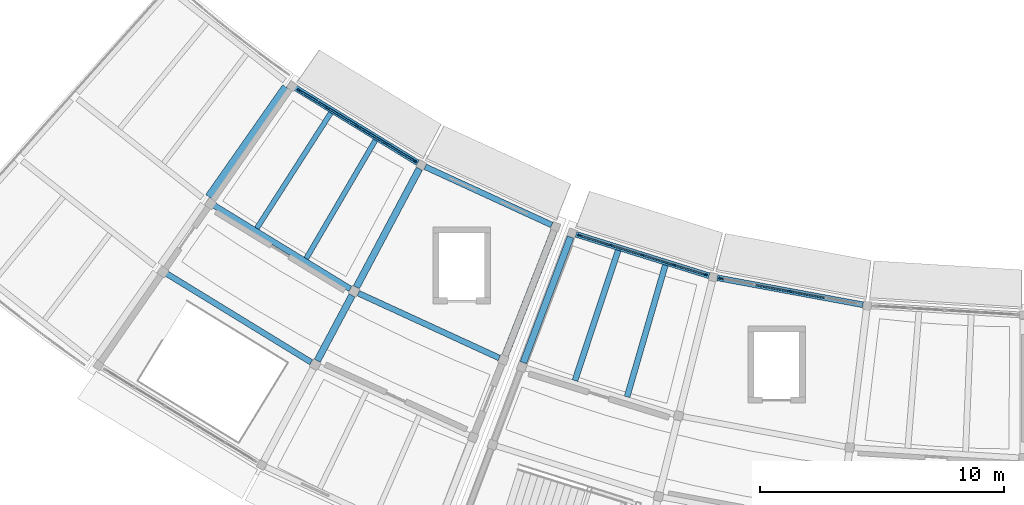
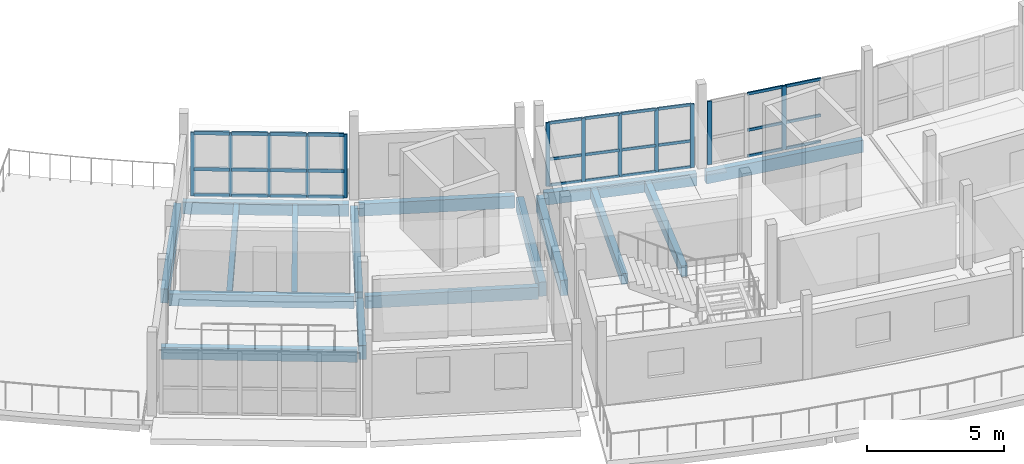
# One storey, part 9 of 24: 42 members, 16 beams, 3 elements without a shape of their own.
"""IFC4 building model written with IfcOpenShell, lengths in metres."""

from ifc_helpers import new_model, si_unit, direction, frame, origin, origin_2d, place, context, subcontext, project, spatial, rectangle, extrude, material, layer, layer_set, material_profile, profile_set, type_object, element, aggregate, save


model = new_model("IFC4")

# Units and contexts
model_context = context("Model", 3, precision=1e-05, world=origin(), true_north=direction((0.0, 1.0)))
body_context = subcontext(model_context, "Body", "Model", "MODEL_VIEW")
ifc_project = project(units=[si_unit("LENGTHUNIT", "METRE"), si_unit("AREAUNIT", "SQUARE_METRE"), si_unit("VOLUMEUNIT", "CUBIC_METRE"), si_unit("PLANEANGLEUNIT", "RADIAN"), si_unit("MASSUNIT", "GRAM", prefix="KILO")], contexts=[model_context])

# Site, building, storey
site_placement = place(None, origin())
site = spatial("IfcSite", under=ifc_project, at=site_placement, CompositionType="ELEMENT")
building_placement = place(site_placement, origin())
building = spatial("IfcBuilding", under=site, at=building_placement, Name="Caldaven Crescent School", CompositionType="ELEMENT")
storey_placement = place(building_placement, frame((0.0, 0.0, 15.639892578125)))
storey = spatial("IfcBuildingStorey", under=building, at=storey_placement, Name="L04", CompositionType="ELEMENT", Elevation=15.639892578125)

# Beams
ifc_material_1 = material(Name="Glulam MLE24h (GL28h)", Category="wood")
ifc_material_profile_1 = material_profile(ifc_material_1, rectangle(XDim=0.239990234375, YDim=0.5400390625, at=origin_2d()), Name="MLE 240x540")
ifc_profile_set_1 = profile_set([ifc_material_profile_1], Name="Glulam MLE24h (GL28h)")
beam_type_1 = type_object("IfcBeamType", Name="BM-GL54", PredefinedType="BEAM", material=ifc_profile_set_1)
beam_1_placement = place(storey_placement, frame((54.722412109375, 48.14404296875, -0.5), z_axis=(0.852656966521, -0.522471145083, 0.0), x_axis=(0.522471145083, 0.852656966521, 0.0)))
element("IfcBeam", 1, at=beam_1_placement, inside=storey, type_object=beam_type_1, Name="BMT-V4W-L04-1540", PredefinedType="BEAM", context=body_context, shape_type="SweptSolid", body=[
    extrude(rectangle(XDim=0.239990234375, YDim=0.5400390625, at=origin_2d()), origin(), (0.0, 0.0, 1.0), 6.73828125),
])
beam_2_placement = place(storey_placement, frame((52.772216796875, 45.359130859375, -0.5), z_axis=(0.85263411432, -0.522508437347, 0.0), x_axis=(0.522508437347, 0.85263411432, 0.0)))
element("IfcBeam", 2, at=beam_2_placement, inside=storey, type_object=beam_type_1, Name="BMT-V4W-L04-1541", PredefinedType="BEAM", context=body_context, shape_type="SweptSolid", body=[
    extrude(rectangle(XDim=0.239990234375, YDim=0.5400390625, at=origin_2d()), origin(), (0.0, 0.0, 1.0), 7.153564453125),
])
beam_3_placement = place(storey_placement, frame((60.802490234375, 44.44482421875, -0.5), z_axis=(0.908529060939, -0.417821667018, 0.0), x_axis=(0.417821667018, 0.908529060939, 0.0)))
element("IfcBeam", 3, at=beam_3_placement, inside=storey, type_object=beam_type_1, Name="BMT-V4W-L04-1546", PredefinedType="BEAM", context=body_context, shape_type="SweptSolid", body=[
    extrude(rectangle(XDim=0.239990234375, YDim=0.5400390625, at=origin_2d()), origin(), (0.0, 0.0, 1.0), 6.33740234375),
])
ifc_material_profile_2 = material_profile(ifc_material_1, rectangle(XDim=0.280029296875, YDim=0.6298828125, at=origin_2d()), Name="MLE 280x630")
ifc_profile_set_2 = profile_set([ifc_material_profile_2], Name="Glulam MLE24h (GL28h)")
beam_type_2 = type_object("IfcBeamType", Name="BM-GL63", PredefinedType="BEAM", material=ifc_profile_set_2)
beam_4_placement = place(storey_placement, frame((57.8154296875, 52.89208984375, -0.544921875), z_axis=(-0.573578845918, -0.819150357087, 0.0), x_axis=(0.819150357087, -0.573578845918, 0.0)))
element("IfcBeam", 4, at=beam_4_placement, inside=storey, type_object=beam_type_2, Name="BMR-V4W-L04-1522", PredefinedType="BEAM", context=body_context, shape_type="SweptSolid", body=[
    extrude(rectangle(XDim=0.280029296875, YDim=0.6298828125, at=origin_2d()), origin(), (0.0, 0.0, 1.0), 5.48486328125),
])
beam_5_placement = place(storey_placement, frame((63.2939453125, 49.534912109375, -0.544921875), z_axis=(-0.469453518664, -0.882957186852, 0.0), x_axis=(0.882957186852, -0.469453518664, 0.0)))
element("IfcBeam", 5, at=beam_5_placement, inside=storey, type_object=beam_type_2, Name="BMR-V4W-L04-1525", PredefinedType="BEAM", context=body_context, shape_type="SweptSolid", body=[
    extrude(rectangle(XDim=0.280029296875, YDim=0.6298828125, at=origin_2d()), origin(), (0.0, 0.0, 1.0), 5.485107421875),
])
beam_6_placement = place(storey_placement, frame((60.54052734375, 44.3564453125, -0.544921875), z_axis=(-0.469450738631, -0.882958664944, 0.0), x_axis=(0.882958664944, -0.469450738631, 0.0)))
element("IfcBeam", 6, at=beam_6_placement, inside=storey, type_object=beam_type_2, Name="BMR-V4W-L04-1526", PredefinedType="BEAM", context=body_context, shape_type="SweptSolid", body=[
    extrude(rectangle(XDim=0.280029296875, YDim=0.6298828125, at=origin_2d()), origin(), (0.0, 0.0, 1.0), 3.02001953125),
])
beam_7_placement = place(storey_placement, frame((68.802978515625, 47.00146484375, -0.544921875), z_axis=(-0.364758465134, -0.931102175979, 0.0), x_axis=(0.931102175979, -0.364758465134, 0.0)))
element("IfcBeam", 7, at=beam_7_placement, inside=storey, type_object=beam_type_2, Name="BMR-V4W-L04-1528", PredefinedType="BEAM", context=body_context, shape_type="SweptSolid", body=[
    extrude(rectangle(XDim=0.280029296875, YDim=0.6298828125, at=origin_2d()), origin(), (0.0, 0.0, 1.0), 5.485107421875),
])
ifc_material_profile_3 = material_profile(ifc_material_1, rectangle(XDim=0.280029296875, YDim=0.68994140625, at=origin_2d()), Name="MLE 280x690")
ifc_profile_set_3 = profile_set([ifc_material_profile_3], Name="Glulam MLE24h (GL28h)")
beam_type_3 = type_object("IfcBeamType", Name="BM-GL69", PredefinedType="BEAM", material=ifc_profile_set_3)
beam_8_placement = place(storey_placement, frame((69.4794921875, 46.74169921875, -0.574951171875), z_axis=(-0.35189401186, -0.936039851938, 0.0), x_axis=(0.936039851938, -0.35189401186, 0.0)))
element("IfcBeam", 8, at=beam_8_placement, inside=storey, type_object=beam_type_3, Name="BMR-V5-L04-1551", PredefinedType="BEAM", context=body_context, shape_type="SweptSolid", body=[
    extrude(rectangle(XDim=0.280029296875, YDim=0.68994140625, at=origin_2d()), origin(), (0.0, 0.0, 1.0), 5.485107421875),
])

# Curtain wall, members
ifc_material_2 = material(Name="Anodised aluminium AA 6063-T6 and low-E double glazing", Category="aluminium")
ifc_layer_1 = layer(ifc_material_2, 0.2099609375)
ifc_layer_set_1 = layer_set([ifc_layer_1], Name="Anodised aluminium AA 6063-T6 and low-E double glazing")
curtain_wall_type_1 = type_object("IfcCurtainWallType", Name="CW-SYS3", PredefinedType="NOTDEFINED", material=ifc_layer_set_1)
curtain_wall_1_placement = place(storey_placement, origin())
curtain_wall_1 = element("IfcCurtainWall", 9, at=curtain_wall_1_placement, inside=storey, type_object=curtain_wall_type_1, Name="CW-L04-169", PredefinedType="NOTDEFINED")
ifc_material_3 = material(Name="Anodised aluminium AA 6063-T6", Category="aluminium")
ifc_material_profile_4 = material_profile(ifc_material_3, rectangle(XDim=0.06005859375, YDim=0.14990234375, at=origin_2d()), Name="CWM 60x150")
ifc_profile_set_4 = profile_set([ifc_material_profile_4], Name="Anodised aluminium AA 6063-T6")
member_type_1 = type_object("IfcMemberType", Name="CWM-T1", PredefinedType="MULLION", material=ifc_profile_set_4)
member_1_placement = place(storey_placement, frame((69.856201171875, 46.807373046875, 0.0), z_axis=(0.0, 0.0, 1.0), x_axis=(0.297419758694, 0.954746818344, 0.0)))
member_1 = element("IfcMember", 10, at=member_1_placement, type_object=member_type_1, Name="CW3 mullion 1", PredefinedType="MULLION", context=body_context, shape_type="SweptSolid", body=[
    extrude(rectangle(XDim=0.06005859375, YDim=0.14990234375, at=origin_2d()), origin(), (0.0, 0.0, 1.0), 2.820068359375),
])
member_2_placement = place(storey_placement, frame((71.126953125, 46.411376953125, 0.0), z_axis=(0.0, 0.0, 1.0), x_axis=(0.297419758694, 0.954746818344, 0.0)))
member_2 = element("IfcMember", 11, at=member_2_placement, type_object=member_type_1, Name="CW3 mullion 2", PredefinedType="MULLION", context=body_context, shape_type="SweptSolid", body=[
    extrude(rectangle(XDim=0.06005859375, YDim=0.14990234375, at=origin_2d()), origin(), (0.0, 0.0, 1.0), 2.820068359375),
])
member_3_placement = place(storey_placement, frame((72.42626953125, 46.0068359375, 0.0), z_axis=(0.0, 0.0, 1.0), x_axis=(0.297419758694, 0.954746818344, 0.0)))
member_3 = element("IfcMember", 12, at=member_3_placement, type_object=member_type_1, Name="CW3 mullion 3", PredefinedType="MULLION", context=body_context, shape_type="SweptSolid", body=[
    extrude(rectangle(XDim=0.06005859375, YDim=0.14990234375, at=origin_2d()), origin(), (0.0, 0.0, 1.0), 2.820068359375),
])
member_4_placement = place(storey_placement, frame((73.7255859375, 45.60205078125, 0.0), z_axis=(0.0, 0.0, 1.0), x_axis=(0.297419758694, 0.954746818344, 0.0)))
member_4 = element("IfcMember", 13, at=member_4_placement, type_object=member_type_1, Name="CW3 mullion 4", PredefinedType="MULLION", context=body_context, shape_type="SweptSolid", body=[
    extrude(rectangle(XDim=0.06005859375, YDim=0.14990234375, at=origin_2d()), origin(), (0.0, 0.0, 1.0), 2.820068359375),
])
member_5_placement = place(storey_placement, frame((74.99609375, 45.2060546875, 0.0), z_axis=(0.0, 0.0, 1.0), x_axis=(0.297419758694, 0.954746818344, 0.0)))
member_5 = element("IfcMember", 14, at=member_5_placement, type_object=member_type_1, Name="CW3 mullion 5", PredefinedType="MULLION", context=body_context, shape_type="SweptSolid", body=[
    extrude(rectangle(XDim=0.06005859375, YDim=0.14990234375, at=origin_2d()), origin(), (0.0, 0.0, 1.0), 2.820068359375),
])

ifc_layer_2 = layer(ifc_material_2, 0.169921875)
ifc_layer_set_2 = layer_set([ifc_layer_2], Name="Anodised aluminium AA 6063-T6 and low-E double glazing")
curtain_wall_type_2 = type_object("IfcCurtainWallType", Name="CW-SYS1", PredefinedType="NOTDEFINED", material=ifc_layer_set_2)
curtain_wall_2_placement = place(storey_placement, origin())
curtain_wall_2 = element("IfcCurtainWall", 15, at=curtain_wall_2_placement, inside=storey, type_object=curtain_wall_type_2, Name="CW-L04-167", PredefinedType="NOTDEFINED")
ifc_material_profile_5 = material_profile(ifc_material_3, rectangle(XDim=0.06494140625, YDim=0.179931640625, at=origin_2d()), Name="CWM 65x180")
ifc_profile_set_5 = profile_set([ifc_material_profile_5], Name="Anodised aluminium AA 6063-T6")
member_type_2 = type_object("IfcMemberType", Name="CWM-T2", PredefinedType="MULLION", material=ifc_profile_set_5)
member_6_placement = place(storey_placement, frame((58.376220703125, 52.739501953125, 0.0), z_axis=(0.0, 0.0, 1.0), x_axis=(0.520750687451, 0.853708803703, 0.0)))
member_6 = element("IfcMember", 16, at=member_6_placement, type_object=member_type_2, Name="CW1 mullion 1", PredefinedType="MULLION", context=body_context, shape_type="SweptSolid", body=[
    extrude(rectangle(XDim=0.06494140625, YDim=0.179931640625, at=origin_2d()), origin(), (0.0, 0.0, 1.0), 2.820068359375),
])
member_7_placement = place(storey_placement, frame((59.541259765625, 52.028564453125, 0.0), z_axis=(0.0, 0.0, 1.0), x_axis=(0.520750687451, 0.853708803703, 0.0)))
member_7 = element("IfcMember", 17, at=member_7_placement, type_object=member_type_2, Name="CW1 mullion 2", PredefinedType="MULLION", context=body_context, shape_type="SweptSolid", body=[
    extrude(rectangle(XDim=0.06494140625, YDim=0.179931640625, at=origin_2d()), origin(), (0.0, 0.0, 1.0), 2.820068359375),
])
member_8_placement = place(storey_placement, frame((60.734130859375, 51.301025390625, 0.0), z_axis=(0.0, 0.0, 1.0), x_axis=(0.520750687451, 0.853708803703, 0.0)))
member_8 = element("IfcMember", 18, at=member_8_placement, type_object=member_type_2, Name="CW1 mullion 3", PredefinedType="MULLION", context=body_context, shape_type="SweptSolid", body=[
    extrude(rectangle(XDim=0.06494140625, YDim=0.179931640625, at=origin_2d()), origin(), (0.0, 0.0, 1.0), 2.820068359375),
])
member_9_placement = place(storey_placement, frame((61.92724609375, 50.5732421875, 0.0), z_axis=(0.0, 0.0, 1.0), x_axis=(0.520750687451, 0.853708803703, 0.0)))
member_9 = element("IfcMember", 19, at=member_9_placement, type_object=member_type_2, Name="CW1 mullion 4", PredefinedType="MULLION", context=body_context, shape_type="SweptSolid", body=[
    extrude(rectangle(XDim=0.06494140625, YDim=0.179931640625, at=origin_2d()), origin(), (0.0, 0.0, 1.0), 2.820068359375),
])
member_10_placement = place(storey_placement, frame((63.09228515625, 49.862548828125, 0.0), z_axis=(0.0, 0.0, 1.0), x_axis=(0.520750687451, 0.853708803703, 0.0)))
member_10 = element("IfcMember", 20, at=member_10_placement, type_object=member_type_2, Name="CW1 mullion 5", PredefinedType="MULLION", context=body_context, shape_type="SweptSolid", body=[
    extrude(rectangle(XDim=0.06494140625, YDim=0.179931640625, at=origin_2d()), origin(), (0.0, 0.0, 1.0), 2.820068359375),
])

ifc_layer_3 = layer(ifc_material_2, 0.22998046875)
ifc_layer_set_3 = layer_set([ifc_layer_3], Name="Anodised aluminium AA 6063-T6 and low-E double glazing")
curtain_wall_type_3 = type_object("IfcCurtainWallType", Name="CW-SYS4", PredefinedType="NOTDEFINED", material=ifc_layer_set_3)
curtain_wall_3_placement = place(storey_placement, origin())
curtain_wall_3 = element("IfcCurtainWall", 21, at=curtain_wall_3_placement, inside=storey, type_object=curtain_wall_type_3, Name="CW-L04-170", PredefinedType="NOTDEFINED")
member_11_placement = place(storey_placement, frame((75.63818359375, 45.04736328125, 0.0), z_axis=(0.0, 0.0, 1.0), x_axis=(0.182236405836, 0.983254744401, 0.0)))
member_11 = element("IfcMember", 22, at=member_11_placement, type_object=member_type_2, Name="CW4 mullion 1", PredefinedType="MULLION", context=body_context, shape_type="SweptSolid", body=[
    extrude(rectangle(XDim=0.06494140625, YDim=0.179931640625, at=origin_2d()), origin(), (0.0, 0.0, 1.0), 2.820068359375),
])
member_12_placement = place(storey_placement, frame((78.45947265625, 44.5244140625, 0.0), z_axis=(0.0, 0.0, 1.0), x_axis=(0.182236405836, 0.983254744401, 0.0)))
member_12 = element("IfcMember", 23, at=member_12_placement, type_object=member_type_2, Name="CW4 mullion 3", PredefinedType="MULLION", context=body_context, shape_type="SweptSolid", body=[
    extrude(rectangle(XDim=0.06494140625, YDim=0.179931640625, at=origin_2d()), origin(), (0.0, 0.0, 1.0), 2.820068359375),
])

# Member
ifc_material_profile_6 = material_profile(ifc_material_3, rectangle(XDim=0.06005859375, YDim=0.1201171875, at=origin_2d()), Name="CWT 60x120")
ifc_profile_set_6 = profile_set([ifc_material_profile_6], Name="Anodised aluminium AA 6063-T6")
member_type_3 = type_object("IfcMemberType", Name="CWT-T1", PredefinedType="USERDEFINED", material=ifc_profile_set_6)
member_13_placement = place(storey_placement, frame((69.885009765625, 46.79833984375, 0.030029296875), z_axis=(0.954742858381, -0.29743247027, 0.0), x_axis=(0.29743247027, 0.954742858381, 0.0)))
member_13 = element("IfcMember", 24, at=member_13_placement, type_object=member_type_3, Name="CW3 transom 1.1", ObjectType="TRANSOM", PredefinedType="USERDEFINED", context=body_context, shape_type="SweptSolid", body=[
    extrude(rectangle(XDim=0.06005859375, YDim=0.1201171875, at=origin_2d()), origin(), (0.0, 0.0, 1.0), 1.270751953125),
])

member_14_placement = place(storey_placement, frame((69.885009765625, 46.79833984375, 1.18408203125), z_axis=(0.954742858381, -0.29743247027, 0.0), x_axis=(0.29743247027, 0.954742858381, 0.0)))
member_14 = element("IfcMember", 25, at=member_14_placement, type_object=member_type_3, Name="CW3 transom 1.2", ObjectType="TRANSOM", PredefinedType="USERDEFINED", context=body_context, shape_type="SweptSolid", body=[
    extrude(rectangle(XDim=0.06005859375, YDim=0.1201171875, at=origin_2d()), origin(), (0.0, 0.0, 1.0), 1.270751953125),
])

member_15_placement = place(storey_placement, frame((69.885009765625, 46.79833984375, 2.7900390625), z_axis=(0.954742858381, -0.29743247027, 0.0), x_axis=(0.29743247027, 0.954742858381, 0.0)))
member_15 = element("IfcMember", 26, at=member_15_placement, type_object=member_type_3, Name="CW3 transom 1.3", ObjectType="TRANSOM", PredefinedType="USERDEFINED", context=body_context, shape_type="SweptSolid", body=[
    extrude(rectangle(XDim=0.06005859375, YDim=0.1201171875, at=origin_2d()), origin(), (0.0, 0.0, 1.0), 1.270751953125),
])

member_16_placement = place(storey_placement, frame((71.155517578125, 46.402587890625, 0.030029296875), z_axis=(0.954730104674, -0.297473405919, 0.0), x_axis=(0.297473405919, 0.954730104674, 0.0)))
member_16 = element("IfcMember", 27, at=member_16_placement, type_object=member_type_3, Name="CW3 transom 2.1", ObjectType="TRANSOM", PredefinedType="USERDEFINED", context=body_context, shape_type="SweptSolid", body=[
    extrude(rectangle(XDim=0.06005859375, YDim=0.1201171875, at=origin_2d()), origin(), (0.0, 0.0, 1.0), 1.30078125),
])

member_17_placement = place(storey_placement, frame((71.155517578125, 46.402587890625, 1.18408203125), z_axis=(0.954730104674, -0.297473405919, 0.0), x_axis=(0.297473405919, 0.954730104674, 0.0)))
member_17 = element("IfcMember", 28, at=member_17_placement, type_object=member_type_3, Name="CW3 transom 2.2", ObjectType="TRANSOM", PredefinedType="USERDEFINED", context=body_context, shape_type="SweptSolid", body=[
    extrude(rectangle(XDim=0.06005859375, YDim=0.1201171875, at=origin_2d()), origin(), (0.0, 0.0, 1.0), 1.30078125),
])

member_18_placement = place(storey_placement, frame((71.155517578125, 46.402587890625, 2.7900390625), z_axis=(0.954730104674, -0.297473405919, 0.0), x_axis=(0.297473405919, 0.954730104674, 0.0)))
member_18 = element("IfcMember", 29, at=member_18_placement, type_object=member_type_3, Name="CW3 transom 2.3", ObjectType="TRANSOM", PredefinedType="USERDEFINED", context=body_context, shape_type="SweptSolid", body=[
    extrude(rectangle(XDim=0.06005859375, YDim=0.1201171875, at=origin_2d()), origin(), (0.0, 0.0, 1.0), 1.30078125),
])

member_19_placement = place(storey_placement, frame((72.454833984375, 45.997802734375, 0.030029296875), z_axis=(0.954730104674, -0.297473405919, 0.0), x_axis=(0.297473405919, 0.954730104674, 0.0)))
member_19 = element("IfcMember", 30, at=member_19_placement, type_object=member_type_3, Name="CW3 transom 3.1", ObjectType="TRANSOM", PredefinedType="USERDEFINED", context=body_context, shape_type="SweptSolid", body=[
    extrude(rectangle(XDim=0.06005859375, YDim=0.1201171875, at=origin_2d()), origin(), (0.0, 0.0, 1.0), 1.30078125),
])

member_20_placement = place(storey_placement, frame((72.454833984375, 45.997802734375, 1.18408203125), z_axis=(0.954730104674, -0.297473405919, 0.0), x_axis=(0.297473405919, 0.954730104674, 0.0)))
member_20 = element("IfcMember", 31, at=member_20_placement, type_object=member_type_3, Name="CW3 transom 3.2", ObjectType="TRANSOM", PredefinedType="USERDEFINED", context=body_context, shape_type="SweptSolid", body=[
    extrude(rectangle(XDim=0.06005859375, YDim=0.1201171875, at=origin_2d()), origin(), (0.0, 0.0, 1.0), 1.30078125),
])

member_21_placement = place(storey_placement, frame((72.454833984375, 45.997802734375, 2.7900390625), z_axis=(0.954730104674, -0.297473405919, 0.0), x_axis=(0.297473405919, 0.954730104674, 0.0)))
member_21 = element("IfcMember", 32, at=member_21_placement, type_object=member_type_3, Name="CW3 transom 3.3", ObjectType="TRANSOM", PredefinedType="USERDEFINED", context=body_context, shape_type="SweptSolid", body=[
    extrude(rectangle(XDim=0.06005859375, YDim=0.1201171875, at=origin_2d()), origin(), (0.0, 0.0, 1.0), 1.30078125),
])

member_22_placement = place(storey_placement, frame((73.754150390625, 45.593017578125, 0.030029296875), z_axis=(0.954759851562, -0.297377917549, 0.0), x_axis=(0.297377917549, 0.954759851562, 0.0)))
member_22 = element("IfcMember", 33, at=member_22_placement, type_object=member_type_3, Name="CW3 transom 4.1", ObjectType="TRANSOM", PredefinedType="USERDEFINED", context=body_context, shape_type="SweptSolid", body=[
    extrude(rectangle(XDim=0.06005859375, YDim=0.1201171875, at=origin_2d()), origin(), (0.0, 0.0, 1.0), 1.270751953125),
])

member_23_placement = place(storey_placement, frame((73.754150390625, 45.593017578125, 1.18408203125), z_axis=(0.954759851562, -0.297377917549, 0.0), x_axis=(0.297377917549, 0.954759851562, 0.0)))
member_23 = element("IfcMember", 34, at=member_23_placement, type_object=member_type_3, Name="CW3 transom 4.2", ObjectType="TRANSOM", PredefinedType="USERDEFINED", context=body_context, shape_type="SweptSolid", body=[
    extrude(rectangle(XDim=0.06005859375, YDim=0.1201171875, at=origin_2d()), origin(), (0.0, 0.0, 1.0), 1.270751953125),
])

member_24_placement = place(storey_placement, frame((73.754150390625, 45.593017578125, 2.7900390625), z_axis=(0.954759851562, -0.297377917549, 0.0), x_axis=(0.297377917549, 0.954759851562, 0.0)))
member_24 = element("IfcMember", 35, at=member_24_placement, type_object=member_type_3, Name="CW3 transom 4.3", ObjectType="TRANSOM", PredefinedType="USERDEFINED", context=body_context, shape_type="SweptSolid", body=[
    extrude(rectangle(XDim=0.06005859375, YDim=0.1201171875, at=origin_2d()), origin(), (0.0, 0.0, 1.0), 1.270751953125),
])

aggregate(curtain_wall_1, [member_1, member_2, member_3, member_4, member_5, member_13, member_14, member_15, member_16, member_17, member_18, member_19, member_20, member_21, member_22, member_23, member_24])

member_25_placement = place(storey_placement, frame((77.06494140625, 44.782958984375, 0.030029296875), z_axis=(0.983241097753, -0.182310020812, 0.0), x_axis=(0.182310020812, 0.983241097753, 0.0)))
member_25 = element("IfcMember", 36, at=member_25_placement, type_object=member_type_3, Name="CW4 transom 2.1", ObjectType="TRANSOM", PredefinedType="USERDEFINED", context=body_context, shape_type="SweptSolid", body=[
    extrude(rectangle(XDim=0.06005859375, YDim=0.1201171875, at=origin_2d()), origin(), (0.0, 0.0, 1.0), 1.385986328125),
])

member_26_placement = place(storey_placement, frame((77.06494140625, 44.782958984375, 1.18408203125), z_axis=(0.983241097753, -0.182310020812, 0.0), x_axis=(0.182310020812, 0.983241097753, 0.0)))
member_26 = element("IfcMember", 37, at=member_26_placement, type_object=member_type_3, Name="CW4 transom 2.2", ObjectType="TRANSOM", PredefinedType="USERDEFINED", context=body_context, shape_type="SweptSolid", body=[
    extrude(rectangle(XDim=0.06005859375, YDim=0.1201171875, at=origin_2d()), origin(), (0.0, 0.0, 1.0), 1.385986328125),
])

member_27_placement = place(storey_placement, frame((77.06494140625, 44.782958984375, 2.7900390625), z_axis=(0.983241097753, -0.182310020812, 0.0), x_axis=(0.182310020812, 0.983241097753, 0.0)))
member_27 = element("IfcMember", 38, at=member_27_placement, type_object=member_type_3, Name="CW4 transom 2.3", ObjectType="TRANSOM", PredefinedType="USERDEFINED", context=body_context, shape_type="SweptSolid", body=[
    extrude(rectangle(XDim=0.06005859375, YDim=0.1201171875, at=origin_2d()), origin(), (0.0, 0.0, 1.0), 1.385986328125),
])

member_28_placement = place(storey_placement, frame((78.491455078125, 44.5185546875, 0.030029296875), z_axis=(0.983241097753, -0.182310020812, 0.0), x_axis=(0.182310020812, 0.983241097753, 0.0)))
member_28 = element("IfcMember", 39, at=member_28_placement, type_object=member_type_3, Name="CW4 transom 3.1", ObjectType="TRANSOM", PredefinedType="USERDEFINED", context=body_context, shape_type="SweptSolid", body=[
    extrude(rectangle(XDim=0.06005859375, YDim=0.1201171875, at=origin_2d()), origin(), (0.0, 0.0, 1.0), 1.385986328125),
])

member_29_placement = place(storey_placement, frame((78.491455078125, 44.5185546875, 1.18408203125), z_axis=(0.983241097753, -0.182310020812, 0.0), x_axis=(0.182310020812, 0.983241097753, 0.0)))
member_29 = element("IfcMember", 40, at=member_29_placement, type_object=member_type_3, Name="CW4 transom 3.2", ObjectType="TRANSOM", PredefinedType="USERDEFINED", context=body_context, shape_type="SweptSolid", body=[
    extrude(rectangle(XDim=0.06005859375, YDim=0.1201171875, at=origin_2d()), origin(), (0.0, 0.0, 1.0), 1.385986328125),
])

member_30_placement = place(storey_placement, frame((78.491455078125, 44.5185546875, 2.7900390625), z_axis=(0.983241097753, -0.182310020812, 0.0), x_axis=(0.182310020812, 0.983241097753, 0.0)))
member_30 = element("IfcMember", 41, at=member_30_placement, type_object=member_type_3, Name="CW4 transom 3.3", ObjectType="TRANSOM", PredefinedType="USERDEFINED", context=body_context, shape_type="SweptSolid", body=[
    extrude(rectangle(XDim=0.06005859375, YDim=0.1201171875, at=origin_2d()), origin(), (0.0, 0.0, 1.0), 1.385986328125),
])

aggregate(curtain_wall_3, [member_11, member_12, member_25, member_26, member_27, member_28, member_29, member_30])

ifc_material_profile_7 = material_profile(ifc_material_3, rectangle(XDim=0.070068359375, YDim=0.159912109375, at=origin_2d()), Name="CWT 70x160")
ifc_profile_set_7 = profile_set([ifc_material_profile_7], Name="Anodised aluminium AA 6063-T6")
member_type_4 = type_object("IfcMemberType", Name="CWT-T3", PredefinedType="USERDEFINED", material=ifc_profile_set_7)
member_31_placement = place(storey_placement, frame((58.40380859375, 52.722412109375, 0.03515625), z_axis=(0.853792103528, -0.520614102723, 0.0), x_axis=(0.520614102723, 0.853792103528, 0.0)))
member_31 = element("IfcMember", 42, at=member_31_placement, type_object=member_type_4, Name="CW1 transom 1.1", ObjectType="TRANSOM", PredefinedType="USERDEFINED", context=body_context, shape_type="SweptSolid", body=[
    extrude(rectangle(XDim=0.070068359375, YDim=0.159912109375, at=origin_2d()), origin(), (0.0, 0.0, 1.0), 1.2998046875),
])

member_32_placement = place(storey_placement, frame((58.40380859375, 52.722412109375, 1.18408203125), z_axis=(0.853792103528, -0.520614102723, 0.0), x_axis=(0.520614102723, 0.853792103528, 0.0)))
member_32 = element("IfcMember", 43, at=member_32_placement, type_object=member_type_4, Name="CW1 transom 1.2", ObjectType="TRANSOM", PredefinedType="USERDEFINED", context=body_context, shape_type="SweptSolid", body=[
    extrude(rectangle(XDim=0.070068359375, YDim=0.159912109375, at=origin_2d()), origin(), (0.0, 0.0, 1.0), 1.2998046875),
])

member_33_placement = place(storey_placement, frame((58.40380859375, 52.722412109375, 2.78515625), z_axis=(0.853792103528, -0.520614102723, 0.0), x_axis=(0.520614102723, 0.853792103528, 0.0)))
member_33 = element("IfcMember", 44, at=member_33_placement, type_object=member_type_4, Name="CW1 transom 1.3", ObjectType="TRANSOM", PredefinedType="USERDEFINED", context=body_context, shape_type="SweptSolid", body=[
    extrude(rectangle(XDim=0.070068359375, YDim=0.159912109375, at=origin_2d()), origin(), (0.0, 0.0, 1.0), 1.2998046875),
])

member_34_placement = place(storey_placement, frame((59.569091796875, 52.01171875, 0.03515625), z_axis=(0.853702795246, -0.520760537473, 0.0), x_axis=(0.520760537473, 0.853702795246, 0.0)))
member_34 = element("IfcMember", 45, at=member_34_placement, type_object=member_type_4, Name="CW1 transom 2.1", ObjectType="TRANSOM", PredefinedType="USERDEFINED", context=body_context, shape_type="SweptSolid", body=[
    extrude(rectangle(XDim=0.070068359375, YDim=0.159912109375, at=origin_2d()), origin(), (0.0, 0.0, 1.0), 1.332275390625),
])

member_35_placement = place(storey_placement, frame((59.569091796875, 52.01171875, 1.18408203125), z_axis=(0.853702795246, -0.520760537473, 0.0), x_axis=(0.520760537473, 0.853702795246, 0.0)))
member_35 = element("IfcMember", 46, at=member_35_placement, type_object=member_type_4, Name="CW1 transom 2.2", ObjectType="TRANSOM", PredefinedType="USERDEFINED", context=body_context, shape_type="SweptSolid", body=[
    extrude(rectangle(XDim=0.070068359375, YDim=0.159912109375, at=origin_2d()), origin(), (0.0, 0.0, 1.0), 1.332275390625),
])

member_36_placement = place(storey_placement, frame((59.569091796875, 52.01171875, 2.78515625), z_axis=(0.853702795246, -0.520760537473, 0.0), x_axis=(0.520760537473, 0.853702795246, 0.0)))
member_36 = element("IfcMember", 47, at=member_36_placement, type_object=member_type_4, Name="CW1 transom 2.3", ObjectType="TRANSOM", PredefinedType="USERDEFINED", context=body_context, shape_type="SweptSolid", body=[
    extrude(rectangle(XDim=0.070068359375, YDim=0.159912109375, at=origin_2d()), origin(), (0.0, 0.0, 1.0), 1.332275390625),
])

member_37_placement = place(storey_placement, frame((60.761962890625, 51.283935546875, 0.03515625), z_axis=(0.853784255265, -0.520626973429, 0.0), x_axis=(0.520626973429, 0.853784255265, 0.0)))
member_37 = element("IfcMember", 48, at=member_37_placement, type_object=member_type_4, Name="CW1 transom 3.1", ObjectType="TRANSOM", PredefinedType="USERDEFINED", context=body_context, shape_type="SweptSolid", body=[
    extrude(rectangle(XDim=0.070068359375, YDim=0.159912109375, at=origin_2d()), origin(), (0.0, 0.0, 1.0), 1.332275390625),
])

member_38_placement = place(storey_placement, frame((60.761962890625, 51.283935546875, 1.18408203125), z_axis=(0.853784255265, -0.520626973429, 0.0), x_axis=(0.520626973429, 0.853784255265, 0.0)))
member_38 = element("IfcMember", 49, at=member_38_placement, type_object=member_type_4, Name="CW1 transom 3.2", ObjectType="TRANSOM", PredefinedType="USERDEFINED", context=body_context, shape_type="SweptSolid", body=[
    extrude(rectangle(XDim=0.070068359375, YDim=0.159912109375, at=origin_2d()), origin(), (0.0, 0.0, 1.0), 1.332275390625),
])

member_39_placement = place(storey_placement, frame((60.761962890625, 51.283935546875, 2.78515625), z_axis=(0.853784255265, -0.520626973429, 0.0), x_axis=(0.520626973429, 0.853784255265, 0.0)))
member_39 = element("IfcMember", 50, at=member_39_placement, type_object=member_type_4, Name="CW1 transom 3.3", ObjectType="TRANSOM", PredefinedType="USERDEFINED", context=body_context, shape_type="SweptSolid", body=[
    extrude(rectangle(XDim=0.070068359375, YDim=0.159912109375, at=origin_2d()), origin(), (0.0, 0.0, 1.0), 1.332275390625),
])

member_40_placement = place(storey_placement, frame((61.954833984375, 50.556396484375, 0.03515625), z_axis=(0.853708619116, -0.520750990059, 0.0), x_axis=(0.520750990059, 0.853708619116, 0.0)))
member_40 = element("IfcMember", 51, at=member_40_placement, type_object=member_type_4, Name="CW1 transom 4.1", ObjectType="TRANSOM", PredefinedType="USERDEFINED", context=body_context, shape_type="SweptSolid", body=[
    extrude(rectangle(XDim=0.070068359375, YDim=0.159912109375, at=origin_2d()), origin(), (0.0, 0.0, 1.0), 1.300048828125),
])

member_41_placement = place(storey_placement, frame((61.954833984375, 50.556396484375, 1.18408203125), z_axis=(0.853708619116, -0.520750990059, 0.0), x_axis=(0.520750990059, 0.853708619116, 0.0)))
member_41 = element("IfcMember", 52, at=member_41_placement, type_object=member_type_4, Name="CW1 transom 4.2", ObjectType="TRANSOM", PredefinedType="USERDEFINED", context=body_context, shape_type="SweptSolid", body=[
    extrude(rectangle(XDim=0.070068359375, YDim=0.159912109375, at=origin_2d()), origin(), (0.0, 0.0, 1.0), 1.300048828125),
])

member_42_placement = place(storey_placement, frame((61.954833984375, 50.556396484375, 2.78515625), z_axis=(0.853708619116, -0.520750990059, 0.0), x_axis=(0.520750990059, 0.853708619116, 0.0)))
member_42 = element("IfcMember", 53, at=member_42_placement, type_object=member_type_4, Name="CW1 transom 4.3", ObjectType="TRANSOM", PredefinedType="USERDEFINED", context=body_context, shape_type="SweptSolid", body=[
    extrude(rectangle(XDim=0.070068359375, YDim=0.159912109375, at=origin_2d()), origin(), (0.0, 0.0, 1.0), 1.300048828125),
])

aggregate(curtain_wall_2, [member_6, member_7, member_8, member_9, member_10, member_31, member_32, member_33, member_34, member_35, member_36, member_37, member_38, member_39, member_40, member_41, member_42])

# Beams
ifc_material_profile_8 = material_profile(ifc_material_1, rectangle(XDim=0.2099609375, YDim=0.419921875, at=origin_2d()), Name="MLE 210x420")
ifc_profile_set_8 = profile_set([ifc_material_profile_8], Name="Glulam MLE24h (GL28h)")
beam_type_4 = type_object("IfcBeamType", Name="JS-GL42", PredefinedType="JOIST", material=ifc_profile_set_8)
beam_9_placement = place(storey_placement, frame((59.673828125, 51.8232421875, -0.43994140625), z_axis=(-0.539758643815, -0.841819818267, 0.0), x_axis=(0.841819818267, -0.539758643815, 0.0)))
element("IfcBeam", 54, at=beam_9_placement, inside=storey, type_object=beam_type_4, Name="JSR-V4W-L04-1543", PredefinedType="JOIST", context=body_context, shape_type="SweptSolid", body=[
    extrude(rectangle(XDim=0.2099609375, YDim=0.419921875, at=origin_2d()), origin(), (0.0, 0.0, 1.0), 5.610107421875),
])
beam_10_placement = place(storey_placement, frame((61.498046875, 50.70556640625, -0.43994140625), z_axis=(-0.505012393824, -0.863112091263, 0.0), x_axis=(0.863112091263, -0.505012393824, 0.0)))
element("IfcBeam", 55, at=beam_10_placement, inside=storey, type_object=beam_type_4, Name="JSR-V4W-L04-1544", PredefinedType="JOIST", context=body_context, shape_type="SweptSolid", body=[
    extrude(rectangle(XDim=0.2099609375, YDim=0.419921875, at=origin_2d()), origin(), (0.0, 0.0, 1.0), 5.6103515625),
])
ifc_material_profile_9 = material_profile(ifc_material_1, rectangle(XDim=0.239990234375, YDim=0.47998046875, at=origin_2d()), Name="MLE 240x480")
ifc_profile_set_9 = profile_set([ifc_material_profile_9], Name="Glulam MLE24h (GL28h)")
beam_type_5 = type_object("IfcBeamType", Name="JS-GL48", PredefinedType="JOIST", material=ifc_profile_set_9)
beam_11_placement = place(storey_placement, frame((71.42822265625, 46.197265625, -0.469970703125), z_axis=(-0.315731740735, -0.948848495753, 0.0), x_axis=(0.948848495753, -0.315731740735, 0.0)))
element("IfcBeam", 56, at=beam_11_placement, inside=storey, type_object=beam_type_5, Name="JSR-V5-L04-1584", PredefinedType="JOIST", context=body_context, shape_type="SweptSolid", body=[
    extrude(rectangle(XDim=0.239990234375, YDim=0.47998046875, at=origin_2d()), origin(), (0.0, 0.0, 1.0), 5.611572265625),
])
beam_12_placement = place(storey_placement, frame((73.355712890625, 45.5966796875, -0.469970703125), z_axis=(-0.278982349026, -0.960296229781, 0.0), x_axis=(0.960296229781, -0.278982349026, 0.0)))
element("IfcBeam", 57, at=beam_12_placement, inside=storey, type_object=beam_type_5, Name="JSR-V5-L04-1585", PredefinedType="JOIST", context=body_context, shape_type="SweptSolid", body=[
    extrude(rectangle(XDim=0.239990234375, YDim=0.47998046875, at=origin_2d()), origin(), (0.0, 0.0, 1.0), 5.611328125),
])
ifc_material_profile_10 = material_profile(ifc_material_1, rectangle(XDim=0.239990234375, YDim=0.5400390625, at=origin_2d()), Name="MLE 240x540")
ifc_profile_set_10 = profile_set([ifc_material_profile_10], Name="Glulam MLE24h (GL28h)")
beam_type_6 = type_object("IfcBeamType", Name="SP-GL54", PredefinedType="SPANDREL", material=ifc_profile_set_10)
beam_13_placement = place(storey_placement, frame((58.065185546875, 52.944091796875, -0.5), z_axis=(0.852630230292, -0.522514775287, 0.0), x_axis=(0.522514775287, 0.852630230292, 0.0)))
element("IfcBeam", 58, at=beam_13_placement, inside=storey, type_object=beam_type_6, Name="BMT-V4W-L04-1539", PredefinedType="SPANDREL", context=body_context, shape_type="SweptSolid", body=[
    extrude(rectangle(XDim=0.239990234375, YDim=0.5400390625, at=origin_2d()), origin(), (0.0, 0.0, 1.0), 6.053955078125),
])
beam_14_placement = place(storey_placement, frame((63.53515625, 49.6162109375, -0.5), z_axis=(0.908530822269, -0.417817837086, 0.0), x_axis=(0.417817837086, 0.908530822269, 0.0)))
element("IfcBeam", 59, at=beam_14_placement, inside=storey, type_object=beam_type_6, Name="BMT-V4W-L04-1545", PredefinedType="SPANDREL", context=body_context, shape_type="SweptSolid", body=[
    extrude(rectangle(XDim=0.239990234375, YDim=0.5400390625, at=origin_2d()), origin(), (0.0, 0.0, 1.0), 5.693603515625),
])
beam_15_placement = place(storey_placement, frame((69.708251953125, 46.853515625, -0.5), z_axis=(0.954745887262, -0.297422747543, 0.0), x_axis=(0.297422747543, 0.954745887262, 0.0)))
element("IfcBeam", 60, at=beam_15_placement, inside=storey, type_object=beam_type_6, Name="BMT-V5-L04-1579", PredefinedType="SPANDREL", context=body_context, shape_type="SweptSolid", body=[
    extrude(rectangle(XDim=0.239990234375, YDim=0.5400390625, at=origin_2d()), origin(), (0.0, 0.0, 1.0), 5.693359375),
])
beam_16_placement = place(storey_placement, frame((75.483154296875, 45.076171875, -0.5), z_axis=(0.983254449388, -0.182237997571, 0.0), x_axis=(0.182237997571, 0.983254449388, 0.0)))
element("IfcBeam", 61, at=beam_16_placement, inside=storey, type_object=beam_type_6, Name="BMT-V5-L04-1586", PredefinedType="SPANDREL", context=body_context, shape_type="SweptSolid", body=[
    extrude(rectangle(XDim=0.239990234375, YDim=0.5400390625, at=origin_2d()), origin(), (0.0, 0.0, 1.0), 6.053955078125),
])

save(model, "model.ifc")
